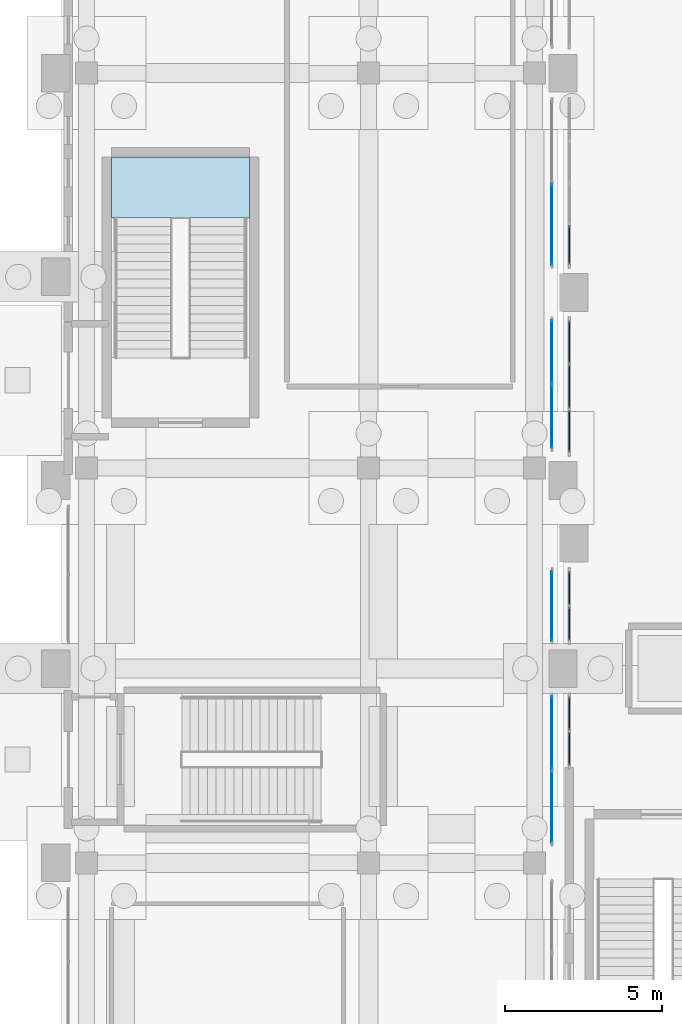
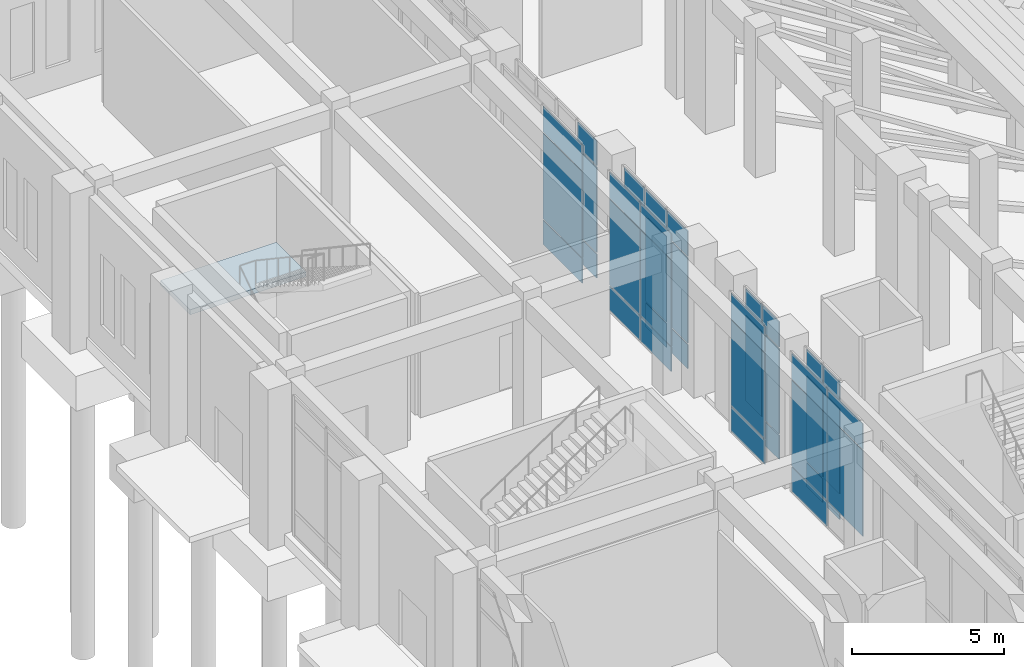
# One storey, part 83 of 143: 41 plates, 1 slab, 9 elements without a shape of their own.
"""IFC4 building model written with IfcOpenShell, lengths in metres."""

from ifc_helpers import new_model, si_unit, derived_unit, direction, frame, origin, origin_2d, place, context, subcontext, project, spatial, polyline, rectangle, outline, extrude, material, layer, layer_set, type_object, element, aggregate, save


model = new_model("IFC4")

# Units and contexts
model_context = context("Model", 3, precision=1e-05, world=origin(), true_north=direction((0.0, 1.0)))
body_context = subcontext(model_context, "Body", "Model", "MODEL_VIEW")
ifc_project = project(units=[si_unit("LENGTHUNIT", "METRE"), si_unit("AREAUNIT", "SQUARE_METRE"), si_unit("VOLUMEUNIT", "CUBIC_METRE"), si_unit("PLANEANGLEUNIT", "RADIAN"), si_unit("MASSUNIT", "GRAM", prefix="KILO"), derived_unit("THERMALTRANSMITTANCEUNIT", [(si_unit("MASSUNIT", "GRAM", prefix="KILO"), 1), (si_unit("TIMEUNIT", "SECOND"), -3), (si_unit("THERMODYNAMICTEMPERATUREUNIT", "KELVIN"), -1)])], contexts=[model_context])

# Site, building, storey
site_placement = place(None, origin())
site = spatial("IfcSite", under=ifc_project, at=site_placement, CompositionType="ELEMENT")
building_placement = place(site_placement, origin())
building = spatial("IfcBuilding", under=site, at=building_placement, Name="Valcora Ridge Arena", CompositionType="ELEMENT")
storey_placement = place(building_placement, origin())
storey = spatial("IfcBuildingStorey", under=building, at=storey_placement, Name="L00", CompositionType="ELEMENT", Elevation=0.0)

# Stair, slab
ifc_material_1 = material(Name="Concrete C40/50", Category="concrete")
stair_type = type_object("IfcStairType", Name="TY-STAIR-ST08-60", PredefinedType="HALF_TURN_STAIR", material=ifc_material_1)
stair_placement = place(storey_placement, origin())
stair = element("IfcStair", 1, at=stair_placement, inside=storey, type_object=stair_type, Name="ST08-60 STR-CR-0035", PredefinedType="HALF_TURN_STAIR")
ifc_layer_1 = layer(ifc_material_1, 0.199951171875, Name="Concrete C40/50")
ifc_layer_set_1 = layer_set([ifc_layer_1], Name="Concrete C40/50")
slab_type = type_object("IfcSlabType", Name="TY-LAND-ST08-60", PredefinedType="LANDING", material=ifc_layer_set_1)
slab_placement = place(storey_placement, frame((0.0, 0.0, 2.800048828125)))
slab = element("IfcSlab", 2, at=slab_placement, type_object=slab_type, Name="ST08-60 landing 1", PredefinedType="LANDING", context=body_context, shape_type="SweptSolid", body=[
    extrude(outline(polyline([(1.60205078125, 78.3701171875), (5.998046875, 78.3701171875), (5.998046875, 80.318115234375), (1.60205078125, 80.318115234375), (1.60205078125, 78.3701171875)])), origin(), (0.0, 0.0, 1.0), 0.199951171875),
])
aggregate(stair, [slab])

# Curtain wall, plates
ifc_material_2 = material(Name="Anodised dark bronze architectural aluminium 6063-T6", Category="aluminium")
ifc_layer_2 = layer(ifc_material_2, 0.179931640625, Name="Anodised dark bronze architectural aluminium 6063-T6")
ifc_layer_set_2 = layer_set([ifc_layer_2], Name="Anodised dark bronze architectural aluminium 6063-T6")
curtain_wall_type_1 = type_object("IfcCurtainWallType", Name="TY-CURTAINWALL-CW-V1-GOTH-023X56", PredefinedType="NOTDEFINED", material=ifc_layer_set_2)
curtain_wall_1_placement = place(storey_placement, origin())
curtain_wall_1 = element("IfcCurtainWall", 3, at=curtain_wall_1_placement, inside=storey, type_object=curtain_wall_type_1, Name="CW-V1-GOTH-023X56 CW-0082", PredefinedType="NOTDEFINED")
ifc_material_3 = material(Name="Low-iron solar-control double glazing SHGC 0.28", Category="glass")
ifc_layer_3 = layer(ifc_material_3, 0.031982421875, Name="Low-iron solar-control double glazing SHGC 0.28")
ifc_layer_set_3 = layer_set([ifc_layer_3], Name="Low-iron solar-control double glazing SHGC 0.28")
plate_type_1 = type_object("IfcPlateType", Name="TY-PLT-CWP-1065X0960", PredefinedType="CURTAIN_PANEL", material=ifc_layer_set_3)
plate_1_placement = place(storey_placement, frame((16.199951171875, 61.4423828125, 0.06005859375), z_axis=(0.0, 0.0, 1.0), x_axis=(0.0, 1.0, 0.0)))
plate_1 = element("IfcPlate", 4, at=plate_1_placement, type_object=plate_type_1, Name="CW-0082/P00-00", PredefinedType="CURTAIN_PANEL", context=body_context, shape_type="SweptSolid", body=[
    extrude(rectangle(XDim=1.06494140625, YDim=0.031982421875, at=origin_2d()), origin(), (0.0, 0.0, 1.0), 0.9599609375),
])
plate_2_placement = place(storey_placement, frame((16.199951171875, 62.5673828125, 0.06005859375), z_axis=(0.0, 0.0, 1.0), x_axis=(0.0, 1.0, 0.0)))
plate_2 = element("IfcPlate", 5, at=plate_2_placement, type_object=plate_type_1, Name="CW-0082/P01-00", PredefinedType="CURTAIN_PANEL", context=body_context, shape_type="SweptSolid", body=[
    extrude(rectangle(XDim=1.06494140625, YDim=0.031982421875, at=origin_2d()), origin(), (0.0, 0.0, 1.0), 0.9599609375),
])
ifc_layer_4 = layer(ifc_material_3, 0.031982421875, Name="Low-iron solar-control double glazing SHGC 0.28")
ifc_layer_set_4 = layer_set([ifc_layer_4], Name="Low-iron solar-control double glazing SHGC 0.28")
plate_type_2 = type_object("IfcPlateType", Name="TY-PLT-CWP-1065X1010", PredefinedType="CURTAIN_PANEL", material=ifc_layer_set_4)
plate_3_placement = place(storey_placement, frame((16.199951171875, 61.4423828125, 4.56982421875), z_axis=(0.0, 0.0, 1.0), x_axis=(0.0, 1.0, 0.0)))
plate_3 = element("IfcPlate", 6, at=plate_3_placement, type_object=plate_type_2, Name="CW-0082/P00-02", PredefinedType="CURTAIN_PANEL", context=body_context, shape_type="SweptSolid", body=[
    extrude(rectangle(XDim=1.06494140625, YDim=0.031982421875, at=origin_2d()), origin(), (0.0, 0.0, 1.0), 1.010009765625),
])
plate_4_placement = place(storey_placement, frame((16.199951171875, 62.5673828125, 4.56982421875), z_axis=(0.0, 0.0, 1.0), x_axis=(0.0, 1.0, 0.0)))
plate_4 = element("IfcPlate", 7, at=plate_4_placement, type_object=plate_type_2, Name="CW-0082/P01-02", PredefinedType="CURTAIN_PANEL", context=body_context, shape_type="SweptSolid", body=[
    extrude(rectangle(XDim=1.06494140625, YDim=0.031982421875, at=origin_2d()), origin(), (0.0, 0.0, 1.0), 1.010009765625),
])
ifc_layer_5 = layer(ifc_material_3, 0.031982421875, Name="Low-iron solar-control double glazing SHGC 0.28")
ifc_layer_set_5 = layer_set([ifc_layer_5], Name="Low-iron solar-control double glazing SHGC 0.28")
plate_type_3 = type_object("IfcPlateType", Name="TY-PLT-CWP-1065X3430", PredefinedType="CURTAIN_PANEL", material=ifc_layer_set_5)
plate_5_placement = place(storey_placement, frame((16.199951171875, 61.4423828125, 1.080078125), z_axis=(0.0, 0.0, 1.0), x_axis=(0.0, 1.0, 0.0)))
plate_5 = element("IfcPlate", 8, at=plate_5_placement, type_object=plate_type_3, Name="CW-0082/P00-01", PredefinedType="CURTAIN_PANEL", context=body_context, shape_type="SweptSolid", body=[
    extrude(rectangle(XDim=1.06494140625, YDim=0.031982421875, at=origin_2d()), origin(), (0.0, 0.0, 1.0), 3.429931640625),
])
plate_6_placement = place(storey_placement, frame((16.199951171875, 62.5673828125, 1.080078125), z_axis=(0.0, 0.0, 1.0), x_axis=(0.0, 1.0, 0.0)))
plate_6 = element("IfcPlate", 9, at=plate_6_placement, type_object=plate_type_3, Name="CW-0082/P01-01", PredefinedType="CURTAIN_PANEL", context=body_context, shape_type="SweptSolid", body=[
    extrude(rectangle(XDim=1.06494140625, YDim=0.031982421875, at=origin_2d()), origin(), (0.0, 0.0, 1.0), 3.429931640625),
])
aggregate(curtain_wall_1, [plate_1, plate_5, plate_3, plate_2, plate_6, plate_4])

curtain_wall_2_placement = place(storey_placement, origin())
curtain_wall_2 = element("IfcCurtainWall", 10, at=curtain_wall_2_placement, inside=storey, type_object=curtain_wall_type_1, Name="CW-V1-GOTH-023X56 CW-0083", PredefinedType="NOTDEFINED")
ifc_layer_6 = layer(ifc_material_3, 0.031982421875, Name="Low-iron solar-control double glazing SHGC 0.28")
ifc_layer_set_6 = layer_set([ifc_layer_6], Name="Low-iron solar-control double glazing SHGC 0.28")
plate_type_4 = type_object("IfcPlateType", Name="TY-PLT-CWP-1070X0960", PredefinedType="CURTAIN_PANEL", material=ifc_layer_set_6)
plate_7_placement = place(storey_placement, frame((16.199951171875, 65.43505859375, 0.06005859375), z_axis=(0.0, 0.0, 1.0), x_axis=(0.0, 1.0, 0.0)))
plate_7 = element("IfcPlate", 11, at=plate_7_placement, type_object=plate_type_4, Name="CW-0083/P00-00", PredefinedType="CURTAIN_PANEL", context=body_context, shape_type="SweptSolid", body=[
    extrude(rectangle(XDim=1.070068359375, YDim=0.031982421875, at=origin_2d()), origin(), (0.0, 0.0, 1.0), 0.9599609375),
])
plate_8_placement = place(storey_placement, frame((16.199951171875, 66.56494140625, 0.06005859375), z_axis=(0.0, 0.0, 1.0), x_axis=(0.0, 1.0, 0.0)))
plate_8 = element("IfcPlate", 12, at=plate_8_placement, type_object=plate_type_4, Name="CW-0083/P01-00", PredefinedType="CURTAIN_PANEL", context=body_context, shape_type="SweptSolid", body=[
    extrude(rectangle(XDim=1.070068359375, YDim=0.031982421875, at=origin_2d()), origin(), (0.0, 0.0, 1.0), 0.9599609375),
])
ifc_layer_7 = layer(ifc_material_3, 0.031982421875, Name="Low-iron solar-control double glazing SHGC 0.28")
ifc_layer_set_7 = layer_set([ifc_layer_7], Name="Low-iron solar-control double glazing SHGC 0.28")
plate_type_5 = type_object("IfcPlateType", Name="TY-PLT-CWP-1070X1010", PredefinedType="CURTAIN_PANEL", material=ifc_layer_set_7)
plate_9_placement = place(storey_placement, frame((16.199951171875, 65.43505859375, 4.56982421875), z_axis=(0.0, 0.0, 1.0), x_axis=(0.0, 1.0, 0.0)))
plate_9 = element("IfcPlate", 13, at=plate_9_placement, type_object=plate_type_5, Name="CW-0083/P00-02", PredefinedType="CURTAIN_PANEL", context=body_context, shape_type="SweptSolid", body=[
    extrude(rectangle(XDim=1.070068359375, YDim=0.031982421875, at=origin_2d()), origin(), (0.0, 0.0, 1.0), 1.010009765625),
])
plate_10_placement = place(storey_placement, frame((16.199951171875, 66.56494140625, 4.56982421875), z_axis=(0.0, 0.0, 1.0), x_axis=(0.0, 1.0, 0.0)))
plate_10 = element("IfcPlate", 14, at=plate_10_placement, type_object=plate_type_5, Name="CW-0083/P01-02", PredefinedType="CURTAIN_PANEL", context=body_context, shape_type="SweptSolid", body=[
    extrude(rectangle(XDim=1.070068359375, YDim=0.031982421875, at=origin_2d()), origin(), (0.0, 0.0, 1.0), 1.010009765625),
])
ifc_layer_8 = layer(ifc_material_3, 0.031982421875, Name="Low-iron solar-control double glazing SHGC 0.28")
ifc_layer_set_8 = layer_set([ifc_layer_8], Name="Low-iron solar-control double glazing SHGC 0.28")
plate_type_6 = type_object("IfcPlateType", Name="TY-PLT-CWP-1070X3430", PredefinedType="CURTAIN_PANEL", material=ifc_layer_set_8)
plate_11_placement = place(storey_placement, frame((16.199951171875, 65.43505859375, 1.080078125), z_axis=(0.0, 0.0, 1.0), x_axis=(0.0, 1.0, 0.0)))
plate_11 = element("IfcPlate", 15, at=plate_11_placement, type_object=plate_type_6, Name="CW-0083/P00-01", PredefinedType="CURTAIN_PANEL", context=body_context, shape_type="SweptSolid", body=[
    extrude(rectangle(XDim=1.070068359375, YDim=0.031982421875, at=origin_2d()), origin(), (0.0, 0.0, 1.0), 3.429931640625),
])
plate_12_placement = place(storey_placement, frame((16.199951171875, 66.56494140625, 1.080078125), z_axis=(0.0, 0.0, 1.0), x_axis=(0.0, 1.0, 0.0)))
plate_12 = element("IfcPlate", 16, at=plate_12_placement, type_object=plate_type_6, Name="CW-0083/P01-01", PredefinedType="CURTAIN_PANEL", context=body_context, shape_type="SweptSolid", body=[
    extrude(rectangle(XDim=1.070068359375, YDim=0.031982421875, at=origin_2d()), origin(), (0.0, 0.0, 1.0), 3.429931640625),
])
aggregate(curtain_wall_2, [plate_7, plate_11, plate_9, plate_8, plate_12, plate_10])

ifc_layer_9 = layer(ifc_material_2, 0.179931640625, Name="Anodised dark bronze architectural aluminium 6063-T6")
ifc_layer_set_9 = layer_set([ifc_layer_9], Name="Anodised dark bronze architectural aluminium 6063-T6")
curtain_wall_type_2 = type_object("IfcCurtainWallType", Name="TY-CURTAINWALL-CW-V1-GOTH-053X56", PredefinedType="NOTDEFINED", material=ifc_layer_set_9)
curtain_wall_3_placement = place(storey_placement, origin())
curtain_wall_3 = element("IfcCurtainWall", 17, at=curtain_wall_3_placement, inside=storey, type_object=curtain_wall_type_2, Name="CW-V1-GOTH-053X56 CW-0085", PredefinedType="NOTDEFINED")
ifc_layer_10 = layer(ifc_material_3, 0.031982421875, Name="Low-iron solar-control double glazing SHGC 0.28")
ifc_layer_set_10 = layer_set([ifc_layer_10], Name="Low-iron solar-control double glazing SHGC 0.28")
plate_type_7 = type_object("IfcPlateType", Name="TY-PLT-CWP-1240X0960", PredefinedType="CURTAIN_PANEL", material=ifc_layer_set_10)
plate_13_placement = place(storey_placement, frame((16.199951171875, 77.52001953125, 0.06005859375), z_axis=(0.0, 0.0, 1.0), x_axis=(0.0, 1.0, 0.0)))
plate_13 = element("IfcPlate", 18, at=plate_13_placement, type_object=plate_type_7, Name="CW-0085/P00-00", PredefinedType="CURTAIN_PANEL", context=body_context, shape_type="SweptSolid", body=[
    extrude(rectangle(XDim=1.239990234375, YDim=0.031982421875, at=origin_2d()), origin(), (0.0, 0.0, 1.0), 0.9599609375),
])
ifc_layer_11 = layer(ifc_material_3, 0.031982421875, Name="Low-iron solar-control double glazing SHGC 0.28")
ifc_layer_set_11 = layer_set([ifc_layer_11], Name="Low-iron solar-control double glazing SHGC 0.28")
plate_type_8 = type_object("IfcPlateType", Name="TY-PLT-CWP-1240X1010", PredefinedType="CURTAIN_PANEL", material=ifc_layer_set_11)
plate_14_placement = place(storey_placement, frame((16.199951171875, 77.52001953125, 4.56982421875), z_axis=(0.0, 0.0, 1.0), x_axis=(0.0, 1.0, 0.0)))
plate_14 = element("IfcPlate", 19, at=plate_14_placement, type_object=plate_type_8, Name="CW-0085/P00-02", PredefinedType="CURTAIN_PANEL", context=body_context, shape_type="SweptSolid", body=[
    extrude(rectangle(XDim=1.239990234375, YDim=0.031982421875, at=origin_2d()), origin(), (0.0, 0.0, 1.0), 1.010009765625),
])
ifc_layer_12 = layer(ifc_material_3, 0.031982421875, Name="Low-iron solar-control double glazing SHGC 0.28")
ifc_layer_set_12 = layer_set([ifc_layer_12], Name="Low-iron solar-control double glazing SHGC 0.28")
plate_type_9 = type_object("IfcPlateType", Name="TY-PLT-CWP-1240X3430", PredefinedType="CURTAIN_PANEL", material=ifc_layer_set_12)
plate_15_placement = place(storey_placement, frame((16.199951171875, 77.52001953125, 1.080078125), z_axis=(0.0, 0.0, 1.0), x_axis=(0.0, 1.0, 0.0)))
plate_15 = element("IfcPlate", 20, at=plate_15_placement, type_object=plate_type_9, Name="CW-0085/P00-01", PredefinedType="CURTAIN_PANEL", context=body_context, shape_type="SweptSolid", body=[
    extrude(rectangle(XDim=1.239990234375, YDim=0.031982421875, at=origin_2d()), origin(), (0.0, 0.0, 1.0), 3.429931640625),
])
aggregate(curtain_wall_3, [plate_13, plate_15, plate_14])

ifc_layer_13 = layer(ifc_material_2, 0.179931640625, Name="Anodised dark bronze architectural aluminium 6063-T6")
ifc_layer_set_13 = layer_set([ifc_layer_13], Name="Anodised dark bronze architectural aluminium 6063-T6")
curtain_wall_type_3 = type_object("IfcCurtainWallType", Name="TY-CURTAINWALL-CW-V1-GOTH-043X56", PredefinedType="NOTDEFINED", material=ifc_layer_set_13)
curtain_wall_4_placement = place(storey_placement, origin())
curtain_wall_4 = element("IfcCurtainWall", 21, at=curtain_wall_4_placement, inside=storey, type_object=curtain_wall_type_3, Name="CW-V1-GOTH-043X56 CW-0084", PredefinedType="NOTDEFINED")
ifc_layer_14 = layer(ifc_material_3, 0.031982421875, Name="Low-iron solar-control double glazing SHGC 0.28")
ifc_layer_set_14 = layer_set([ifc_layer_14], Name="Low-iron solar-control double glazing SHGC 0.28")
plate_type_10 = type_object("IfcPlateType", Name="TY-PLT-CWP-1350X0960", PredefinedType="CURTAIN_PANEL", material=ifc_layer_set_14)
plate_16_placement = place(storey_placement, frame((16.199951171875, 71.574951171875, 0.06005859375), z_axis=(0.0, 0.0, 1.0), x_axis=(0.0, 1.0, 0.0)))
plate_16 = element("IfcPlate", 22, at=plate_16_placement, type_object=plate_type_10, Name="CW-0084/P00-00", PredefinedType="CURTAIN_PANEL", context=body_context, shape_type="SweptSolid", body=[
    extrude(rectangle(XDim=1.35009765625, YDim=0.031982421875, at=origin_2d()), origin(), (0.0, 0.0, 1.0), 0.9599609375),
])
plate_17_placement = place(storey_placement, frame((16.199951171875, 74.425048828125, 0.06005859375), z_axis=(0.0, 0.0, 1.0), x_axis=(0.0, 1.0, 0.0)))
plate_17 = element("IfcPlate", 23, at=plate_17_placement, type_object=plate_type_10, Name="CW-0084/P02-00", PredefinedType="CURTAIN_PANEL", context=body_context, shape_type="SweptSolid", body=[
    extrude(rectangle(XDim=1.35009765625, YDim=0.031982421875, at=origin_2d()), origin(), (0.0, 0.0, 1.0), 0.9599609375),
])
ifc_layer_15 = layer(ifc_material_3, 0.031982421875, Name="Low-iron solar-control double glazing SHGC 0.28")
ifc_layer_set_15 = layer_set([ifc_layer_15], Name="Low-iron solar-control double glazing SHGC 0.28")
plate_type_11 = type_object("IfcPlateType", Name="TY-PLT-CWP-1350X1010", PredefinedType="CURTAIN_PANEL", material=ifc_layer_set_15)
plate_18_placement = place(storey_placement, frame((16.199951171875, 71.574951171875, 4.56982421875), z_axis=(0.0, 0.0, 1.0), x_axis=(0.0, 1.0, 0.0)))
plate_18 = element("IfcPlate", 24, at=plate_18_placement, type_object=plate_type_11, Name="CW-0084/P00-02", PredefinedType="CURTAIN_PANEL", context=body_context, shape_type="SweptSolid", body=[
    extrude(rectangle(XDim=1.35009765625, YDim=0.031982421875, at=origin_2d()), origin(), (0.0, 0.0, 1.0), 1.010009765625),
])
plate_19_placement = place(storey_placement, frame((16.199951171875, 74.425048828125, 4.56982421875), z_axis=(0.0, 0.0, 1.0), x_axis=(0.0, 1.0, 0.0)))
plate_19 = element("IfcPlate", 25, at=plate_19_placement, type_object=plate_type_11, Name="CW-0084/P02-02", PredefinedType="CURTAIN_PANEL", context=body_context, shape_type="SweptSolid", body=[
    extrude(rectangle(XDim=1.35009765625, YDim=0.031982421875, at=origin_2d()), origin(), (0.0, 0.0, 1.0), 1.010009765625),
])
ifc_layer_16 = layer(ifc_material_3, 0.031982421875, Name="Low-iron solar-control double glazing SHGC 0.28")
ifc_layer_set_16 = layer_set([ifc_layer_16], Name="Low-iron solar-control double glazing SHGC 0.28")
plate_type_12 = type_object("IfcPlateType", Name="TY-PLT-CWP-1350X3430", PredefinedType="CURTAIN_PANEL", material=ifc_layer_set_16)
plate_20_placement = place(storey_placement, frame((16.199951171875, 71.574951171875, 1.080078125), z_axis=(0.0, 0.0, 1.0), x_axis=(0.0, 1.0, 0.0)))
plate_20 = element("IfcPlate", 26, at=plate_20_placement, type_object=plate_type_12, Name="CW-0084/P00-01", PredefinedType="CURTAIN_PANEL", context=body_context, shape_type="SweptSolid", body=[
    extrude(rectangle(XDim=1.35009765625, YDim=0.031982421875, at=origin_2d()), origin(), (0.0, 0.0, 1.0), 3.429931640625),
])
plate_21_placement = place(storey_placement, frame((16.199951171875, 74.425048828125, 1.080078125), z_axis=(0.0, 0.0, 1.0), x_axis=(0.0, 1.0, 0.0)))
plate_21 = element("IfcPlate", 27, at=plate_21_placement, type_object=plate_type_12, Name="CW-0084/P02-01", PredefinedType="CURTAIN_PANEL", context=body_context, shape_type="SweptSolid", body=[
    extrude(rectangle(XDim=1.35009765625, YDim=0.031982421875, at=origin_2d()), origin(), (0.0, 0.0, 1.0), 3.429931640625),
])
ifc_layer_17 = layer(ifc_material_3, 0.031982421875, Name="Low-iron solar-control double glazing SHGC 0.28")
ifc_layer_set_17 = layer_set([ifc_layer_17], Name="Low-iron solar-control double glazing SHGC 0.28")
plate_type_13 = type_object("IfcPlateType", Name="TY-PLT-CWP-1380X0960", PredefinedType="CURTAIN_PANEL", material=ifc_layer_set_17)
plate_22_placement = place(storey_placement, frame((16.199951171875, 73.0, 0.06005859375), z_axis=(0.0, 0.0, 1.0), x_axis=(0.0, 1.0, 0.0)))
plate_22 = element("IfcPlate", 28, at=plate_22_placement, type_object=plate_type_13, Name="CW-0084/P01-00", PredefinedType="CURTAIN_PANEL", context=body_context, shape_type="SweptSolid", body=[
    extrude(rectangle(XDim=1.3798828125, YDim=0.031982421875, at=origin_2d()), origin(), (0.0, 0.0, 1.0), 0.9599609375),
])
ifc_layer_18 = layer(ifc_material_3, 0.031982421875, Name="Low-iron solar-control double glazing SHGC 0.28")
ifc_layer_set_18 = layer_set([ifc_layer_18], Name="Low-iron solar-control double glazing SHGC 0.28")
plate_type_14 = type_object("IfcPlateType", Name="TY-PLT-CWP-1380X1010", PredefinedType="CURTAIN_PANEL", material=ifc_layer_set_18)
plate_23_placement = place(storey_placement, frame((16.199951171875, 73.0, 4.56982421875), z_axis=(0.0, 0.0, 1.0), x_axis=(0.0, 1.0, 0.0)))
plate_23 = element("IfcPlate", 29, at=plate_23_placement, type_object=plate_type_14, Name="CW-0084/P01-02", PredefinedType="CURTAIN_PANEL", context=body_context, shape_type="SweptSolid", body=[
    extrude(rectangle(XDim=1.3798828125, YDim=0.031982421875, at=origin_2d()), origin(), (0.0, 0.0, 1.0), 1.010009765625),
])
ifc_layer_19 = layer(ifc_material_3, 0.031982421875, Name="Low-iron solar-control double glazing SHGC 0.28")
ifc_layer_set_19 = layer_set([ifc_layer_19], Name="Low-iron solar-control double glazing SHGC 0.28")
plate_type_15 = type_object("IfcPlateType", Name="TY-PLT-CWP-1380X3430", PredefinedType="CURTAIN_PANEL", material=ifc_layer_set_19)
plate_24_placement = place(storey_placement, frame((16.199951171875, 73.0, 1.080078125), z_axis=(0.0, 0.0, 1.0), x_axis=(0.0, 1.0, 0.0)))
plate_24 = element("IfcPlate", 30, at=plate_24_placement, type_object=plate_type_15, Name="CW-0084/P01-01", PredefinedType="CURTAIN_PANEL", context=body_context, shape_type="SweptSolid", body=[
    extrude(rectangle(XDim=1.3798828125, YDim=0.031982421875, at=origin_2d()), origin(), (0.0, 0.0, 1.0), 3.429931640625),
])
aggregate(curtain_wall_4, [plate_16, plate_20, plate_18, plate_22, plate_24, plate_23, plate_17, plate_21, plate_19])

ifc_layer_20 = layer(ifc_material_2, 0.14990234375, Name="Anodised dark bronze architectural aluminium 6063-T6")
ifc_layer_set_20 = layer_set([ifc_layer_20], Name="Anodised dark bronze architectural aluminium 6063-T6")
curtain_wall_type_4 = type_object("IfcCurtainWallType", Name="TY-CURTAINWALL-CW-V4-CLUB-042X56", PredefinedType="NOTDEFINED", material=ifc_layer_set_20)
curtain_wall_5_placement = place(storey_placement, origin())
curtain_wall_5 = element("IfcCurtainWall", 31, at=curtain_wall_5_placement, inside=storey, type_object=curtain_wall_type_4, Name="CW-V4-CLUB-042X56 CW-0200", PredefinedType="NOTDEFINED")
ifc_layer_21 = layer(ifc_material_3, 0.028076171875, Name="Low-iron solar-control double glazing SHGC 0.28")
ifc_layer_set_21 = layer_set([ifc_layer_21], Name="Low-iron solar-control double glazing SHGC 0.28")
plate_type_16 = type_object("IfcPlateType", Name="TY-PLT-CWP-2010X0975", PredefinedType="CURTAIN_PANEL", material=ifc_layer_set_21)
plate_25_placement = place(storey_placement, frame((15.64990234375, 72.044921875, 0.050048828125), z_axis=(0.0, 0.0, 1.0), x_axis=(0.0, 1.0, 0.0)))
plate_25 = element("IfcPlate", 32, at=plate_25_placement, type_object=plate_type_16, Name="CW-0200/P00-00", PredefinedType="CURTAIN_PANEL", context=body_context, shape_type="SweptSolid", body=[
    extrude(rectangle(XDim=2.010009765625, YDim=0.028076171875, at=origin_2d()), origin(), (0.0, 0.0, 1.0), 0.97509765625),
])
plate_26_placement = place(storey_placement, frame((15.64990234375, 74.10498046875, 0.050048828125), z_axis=(0.0, 0.0, 1.0), x_axis=(0.0, 1.0, 0.0)))
plate_26 = element("IfcPlate", 33, at=plate_26_placement, type_object=plate_type_16, Name="CW-0200/P01-00", PredefinedType="CURTAIN_PANEL", context=body_context, shape_type="SweptSolid", body=[
    extrude(rectangle(XDim=2.010009765625, YDim=0.028076171875, at=origin_2d()), origin(), (0.0, 0.0, 1.0), 0.97509765625),
])
ifc_layer_22 = layer(ifc_material_3, 0.028076171875, Name="Low-iron solar-control double glazing SHGC 0.28")
ifc_layer_set_22 = layer_set([ifc_layer_22], Name="Low-iron solar-control double glazing SHGC 0.28")
plate_type_17 = type_object("IfcPlateType", Name="TY-PLT-CWP-2010X1025", PredefinedType="CURTAIN_PANEL", material=ifc_layer_set_22)
plate_27_placement = place(storey_placement, frame((15.64990234375, 72.044921875, 4.56494140625), z_axis=(0.0, 0.0, 1.0), x_axis=(0.0, 1.0, 0.0)))
plate_27 = element("IfcPlate", 34, at=plate_27_placement, type_object=plate_type_17, Name="CW-0200/P00-02", PredefinedType="CURTAIN_PANEL", context=body_context, shape_type="SweptSolid", body=[
    extrude(rectangle(XDim=2.010009765625, YDim=0.028076171875, at=origin_2d()), origin(), (0.0, 0.0, 1.0), 1.02490234375),
])
plate_28_placement = place(storey_placement, frame((15.64990234375, 74.10498046875, 4.56494140625), z_axis=(0.0, 0.0, 1.0), x_axis=(0.0, 1.0, 0.0)))
plate_28 = element("IfcPlate", 35, at=plate_28_placement, type_object=plate_type_17, Name="CW-0200/P01-02", PredefinedType="CURTAIN_PANEL", context=body_context, shape_type="SweptSolid", body=[
    extrude(rectangle(XDim=2.010009765625, YDim=0.028076171875, at=origin_2d()), origin(), (0.0, 0.0, 1.0), 1.02490234375),
])
ifc_layer_23 = layer(ifc_material_3, 0.028076171875, Name="Low-iron solar-control double glazing SHGC 0.28")
ifc_layer_set_23 = layer_set([ifc_layer_23], Name="Low-iron solar-control double glazing SHGC 0.28")
plate_type_18 = type_object("IfcPlateType", Name="TY-PLT-CWP-2010X3440", PredefinedType="CURTAIN_PANEL", material=ifc_layer_set_23)
plate_29_placement = place(storey_placement, frame((15.64990234375, 72.044921875, 1.074951171875), z_axis=(0.0, 0.0, 1.0), x_axis=(0.0, 1.0, 0.0)))
plate_29 = element("IfcPlate", 36, at=plate_29_placement, type_object=plate_type_18, Name="CW-0200/P00-01", PredefinedType="CURTAIN_PANEL", context=body_context, shape_type="SweptSolid", body=[
    extrude(rectangle(XDim=2.010009765625, YDim=0.028076171875, at=origin_2d()), origin(), (0.0, 0.0, 1.0), 3.43994140625),
])
plate_30_placement = place(storey_placement, frame((15.64990234375, 74.10498046875, 1.074951171875), z_axis=(0.0, 0.0, 1.0), x_axis=(0.0, 1.0, 0.0)))
plate_30 = element("IfcPlate", 37, at=plate_30_placement, type_object=plate_type_18, Name="CW-0200/P01-01", PredefinedType="CURTAIN_PANEL", context=body_context, shape_type="SweptSolid", body=[
    extrude(rectangle(XDim=2.010009765625, YDim=0.028076171875, at=origin_2d()), origin(), (0.0, 0.0, 1.0), 3.43994140625),
])
aggregate(curtain_wall_5, [plate_25, plate_29, plate_27, plate_26, plate_30, plate_28])

ifc_layer_24 = layer(ifc_material_2, 0.14990234375, Name="Anodised dark bronze architectural aluminium 6063-T6")
ifc_layer_set_24 = layer_set([ifc_layer_24], Name="Anodised dark bronze architectural aluminium 6063-T6")
curtain_wall_type_5 = type_object("IfcCurtainWallType", Name="TY-CURTAINWALL-CW-V4-CLUB-023X56", PredefinedType="NOTDEFINED", material=ifc_layer_set_24)
curtain_wall_6_placement = place(storey_placement, origin())
curtain_wall_6 = element("IfcCurtainWall", 38, at=curtain_wall_6_placement, inside=storey, type_object=curtain_wall_type_5, Name="CW-V4-CLUB-023X56 CW-0199", PredefinedType="NOTDEFINED")
ifc_layer_25 = layer(ifc_material_3, 0.028076171875, Name="Low-iron solar-control double glazing SHGC 0.28")
ifc_layer_set_25 = layer_set([ifc_layer_25], Name="Low-iron solar-control double glazing SHGC 0.28")
plate_type_19 = type_object("IfcPlateType", Name="TY-PLT-CWP-2220X0975", PredefinedType="CURTAIN_PANEL", material=ifc_layer_set_25)
plate_31_placement = place(storey_placement, frame((15.64990234375, 66.0, 0.050048828125), z_axis=(0.0, 0.0, 1.0), x_axis=(0.0, 1.0, 0.0)))
plate_31 = element("IfcPlate", 39, at=plate_31_placement, type_object=plate_type_19, Name="CW-0199/P00-00", PredefinedType="CURTAIN_PANEL", context=body_context, shape_type="SweptSolid", body=[
    extrude(rectangle(XDim=2.219970703125, YDim=0.028076171875, at=origin_2d()), origin(), (0.0, 0.0, 1.0), 0.97509765625),
])
ifc_layer_26 = layer(ifc_material_3, 0.028076171875, Name="Low-iron solar-control double glazing SHGC 0.28")
ifc_layer_set_26 = layer_set([ifc_layer_26], Name="Low-iron solar-control double glazing SHGC 0.28")
plate_type_20 = type_object("IfcPlateType", Name="TY-PLT-CWP-2220X1025", PredefinedType="CURTAIN_PANEL", material=ifc_layer_set_26)
plate_32_placement = place(storey_placement, frame((15.64990234375, 66.0, 4.56494140625), z_axis=(0.0, 0.0, 1.0), x_axis=(0.0, 1.0, 0.0)))
plate_32 = element("IfcPlate", 40, at=plate_32_placement, type_object=plate_type_20, Name="CW-0199/P00-02", PredefinedType="CURTAIN_PANEL", context=body_context, shape_type="SweptSolid", body=[
    extrude(rectangle(XDim=2.219970703125, YDim=0.028076171875, at=origin_2d()), origin(), (0.0, 0.0, 1.0), 1.02490234375),
])
ifc_layer_27 = layer(ifc_material_3, 0.028076171875, Name="Low-iron solar-control double glazing SHGC 0.28")
ifc_layer_set_27 = layer_set([ifc_layer_27], Name="Low-iron solar-control double glazing SHGC 0.28")
plate_type_21 = type_object("IfcPlateType", Name="TY-PLT-CWP-2220X3440", PredefinedType="CURTAIN_PANEL", material=ifc_layer_set_27)
plate_33_placement = place(storey_placement, frame((15.64990234375, 66.0, 1.074951171875), z_axis=(0.0, 0.0, 1.0), x_axis=(0.0, 1.0, 0.0)))
plate_33 = element("IfcPlate", 41, at=plate_33_placement, type_object=plate_type_21, Name="CW-0199/P00-01", PredefinedType="CURTAIN_PANEL", context=body_context, shape_type="SweptSolid", body=[
    extrude(rectangle(XDim=2.219970703125, YDim=0.028076171875, at=origin_2d()), origin(), (0.0, 0.0, 1.0), 3.43994140625),
])
aggregate(curtain_wall_6, [plate_31, plate_33, plate_32])

ifc_layer_28 = layer(ifc_material_2, 0.14990234375, Name="Anodised dark bronze architectural aluminium 6063-T6")
ifc_layer_set_28 = layer_set([ifc_layer_28], Name="Anodised dark bronze architectural aluminium 6063-T6")
curtain_wall_type_6 = type_object("IfcCurtainWallType", Name="TY-CURTAINWALL-CW-V4-CLUB-048X56", PredefinedType="NOTDEFINED", material=ifc_layer_set_28)
curtain_wall_7_placement = place(storey_placement, origin())
curtain_wall_7 = element("IfcCurtainWall", 42, at=curtain_wall_7_placement, inside=storey, type_object=curtain_wall_type_6, Name="CW-V4-CLUB-048X56 CW-0198", PredefinedType="NOTDEFINED")
ifc_layer_29 = layer(ifc_material_3, 0.028076171875, Name="Low-iron solar-control double glazing SHGC 0.28")
ifc_layer_set_29 = layer_set([ifc_layer_29], Name="Low-iron solar-control double glazing SHGC 0.28")
plate_type_22 = type_object("IfcPlateType", Name="TY-PLT-CWP-2310X0975", PredefinedType="CURTAIN_PANEL", material=ifc_layer_set_29)
plate_34_placement = place(storey_placement, frame((15.64990234375, 61.955078125, 0.050048828125), z_axis=(0.0, 0.0, 1.0), x_axis=(0.0, 1.0, 0.0)))
plate_34 = element("IfcPlate", 43, at=plate_34_placement, type_object=plate_type_22, Name="CW-0198/P01-00", PredefinedType="CURTAIN_PANEL", context=body_context, shape_type="SweptSolid", body=[
    extrude(rectangle(XDim=2.31005859375, YDim=0.028076171875, at=origin_2d()), origin(), (0.0, 0.0, 1.0), 0.97509765625),
])
ifc_layer_30 = layer(ifc_material_3, 0.028076171875, Name="Low-iron solar-control double glazing SHGC 0.28")
ifc_layer_set_30 = layer_set([ifc_layer_30], Name="Low-iron solar-control double glazing SHGC 0.28")
plate_type_23 = type_object("IfcPlateType", Name="TY-PLT-CWP-2310X1025", PredefinedType="CURTAIN_PANEL", material=ifc_layer_set_30)
plate_35_placement = place(storey_placement, frame((15.64990234375, 59.594970703125, 4.56494140625), z_axis=(0.0, 0.0, 1.0), x_axis=(0.0, 1.0, 0.0)))
plate_35 = element("IfcPlate", 44, at=plate_35_placement, type_object=plate_type_23, Name="CW-0198/P00-02", PredefinedType="CURTAIN_PANEL", context=body_context, shape_type="SweptSolid", body=[
    extrude(rectangle(XDim=2.31005859375, YDim=0.028076171875, at=origin_2d()), origin(), (0.0, 0.0, 1.0), 1.02490234375),
])
plate_36_placement = place(storey_placement, frame((15.64990234375, 61.955078125, 4.56494140625), z_axis=(0.0, 0.0, 1.0), x_axis=(0.0, 1.0, 0.0)))
plate_36 = element("IfcPlate", 45, at=plate_36_placement, type_object=plate_type_23, Name="CW-0198/P01-02", PredefinedType="CURTAIN_PANEL", context=body_context, shape_type="SweptSolid", body=[
    extrude(rectangle(XDim=2.31005859375, YDim=0.028076171875, at=origin_2d()), origin(), (0.0, 0.0, 1.0), 1.02490234375),
])
ifc_layer_31 = layer(ifc_material_3, 0.028076171875, Name="Low-iron solar-control double glazing SHGC 0.28")
ifc_layer_set_31 = layer_set([ifc_layer_31], Name="Low-iron solar-control double glazing SHGC 0.28")
plate_type_24 = type_object("IfcPlateType", Name="TY-PLT-CWP-2310X3440", PredefinedType="CURTAIN_PANEL", material=ifc_layer_set_31)
plate_37_placement = place(storey_placement, frame((15.64990234375, 59.594970703125, 1.074951171875), z_axis=(0.0, 0.0, 1.0), x_axis=(0.0, 1.0, 0.0)))
plate_37 = element("IfcPlate", 46, at=plate_37_placement, type_object=plate_type_24, Name="CW-0198/P00-01", PredefinedType="CURTAIN_PANEL", context=body_context, shape_type="SweptSolid", body=[
    extrude(rectangle(XDim=2.31005859375, YDim=0.028076171875, at=origin_2d()), origin(), (0.0, 0.0, 1.0), 3.43994140625),
])
plate_38_placement = place(storey_placement, frame((15.64990234375, 61.955078125, 1.074951171875), z_axis=(0.0, 0.0, 1.0), x_axis=(0.0, 1.0, 0.0)))
plate_38 = element("IfcPlate", 47, at=plate_38_placement, type_object=plate_type_24, Name="CW-0198/P01-01", PredefinedType="CURTAIN_PANEL", context=body_context, shape_type="SweptSolid", body=[
    extrude(rectangle(XDim=2.31005859375, YDim=0.028076171875, at=origin_2d()), origin(), (0.0, 0.0, 1.0), 3.43994140625),
])
aggregate(curtain_wall_7, [plate_37, plate_35, plate_34, plate_38, plate_36])

ifc_layer_32 = layer(ifc_material_2, 0.14990234375, Name="Anodised dark bronze architectural aluminium 6063-T6")
ifc_layer_set_32 = layer_set([ifc_layer_32], Name="Anodised dark bronze architectural aluminium 6063-T6")
curtain_wall_type_7 = type_object("IfcCurtainWallType", Name="TY-CURTAINWALL-CW-V4-CLUB-053X56", PredefinedType="NOTDEFINED", material=ifc_layer_set_32)
curtain_wall_8_placement = place(storey_placement, origin())
curtain_wall_8 = element("IfcCurtainWall", 48, at=curtain_wall_8_placement, inside=storey, type_object=curtain_wall_type_7, Name="CW-V4-CLUB-053X56 CW-0201", PredefinedType="NOTDEFINED")
ifc_layer_33 = layer(ifc_material_3, 0.028076171875, Name="Low-iron solar-control double glazing SHGC 0.28")
ifc_layer_set_33 = layer_set([ifc_layer_33], Name="Low-iron solar-control double glazing SHGC 0.28")
plate_type_25 = type_object("IfcPlateType", Name="TY-PLT-CWP-2585X0975", PredefinedType="CURTAIN_PANEL", material=ifc_layer_set_33)
plate_39_placement = place(storey_placement, frame((15.64990234375, 78.1826171875, 0.050048828125), z_axis=(0.0, 0.0, 1.0), x_axis=(0.0, 1.0, 0.0)))
plate_39 = element("IfcPlate", 49, at=plate_39_placement, type_object=plate_type_25, Name="CW-0201/P00-00", PredefinedType="CURTAIN_PANEL", context=body_context, shape_type="SweptSolid", body=[
    extrude(rectangle(XDim=2.5849609375, YDim=0.028076171875, at=origin_2d()), origin(), (0.0, 0.0, 1.0), 0.97509765625),
])
ifc_layer_34 = layer(ifc_material_3, 0.028076171875, Name="Low-iron solar-control double glazing SHGC 0.28")
ifc_layer_set_34 = layer_set([ifc_layer_34], Name="Low-iron solar-control double glazing SHGC 0.28")
plate_type_26 = type_object("IfcPlateType", Name="TY-PLT-CWP-2585X1025", PredefinedType="CURTAIN_PANEL", material=ifc_layer_set_34)
plate_40_placement = place(storey_placement, frame((15.64990234375, 78.1826171875, 4.56494140625), z_axis=(0.0, 0.0, 1.0), x_axis=(0.0, 1.0, 0.0)))
plate_40 = element("IfcPlate", 50, at=plate_40_placement, type_object=plate_type_26, Name="CW-0201/P00-02", PredefinedType="CURTAIN_PANEL", context=body_context, shape_type="SweptSolid", body=[
    extrude(rectangle(XDim=2.5849609375, YDim=0.028076171875, at=origin_2d()), origin(), (0.0, 0.0, 1.0), 1.02490234375),
])
ifc_layer_35 = layer(ifc_material_3, 0.028076171875, Name="Low-iron solar-control double glazing SHGC 0.28")
ifc_layer_set_35 = layer_set([ifc_layer_35], Name="Low-iron solar-control double glazing SHGC 0.28")
plate_type_27 = type_object("IfcPlateType", Name="TY-PLT-CWP-2585X3440", PredefinedType="CURTAIN_PANEL", material=ifc_layer_set_35)
plate_41_placement = place(storey_placement, frame((15.64990234375, 78.1826171875, 1.074951171875), z_axis=(0.0, 0.0, 1.0), x_axis=(0.0, 1.0, 0.0)))
plate_41 = element("IfcPlate", 51, at=plate_41_placement, type_object=plate_type_27, Name="CW-0201/P00-01", PredefinedType="CURTAIN_PANEL", context=body_context, shape_type="SweptSolid", body=[
    extrude(rectangle(XDim=2.5849609375, YDim=0.028076171875, at=origin_2d()), origin(), (0.0, 0.0, 1.0), 3.43994140625),
])
aggregate(curtain_wall_8, [plate_39, plate_41, plate_40])

save(model, "model.ifc")
